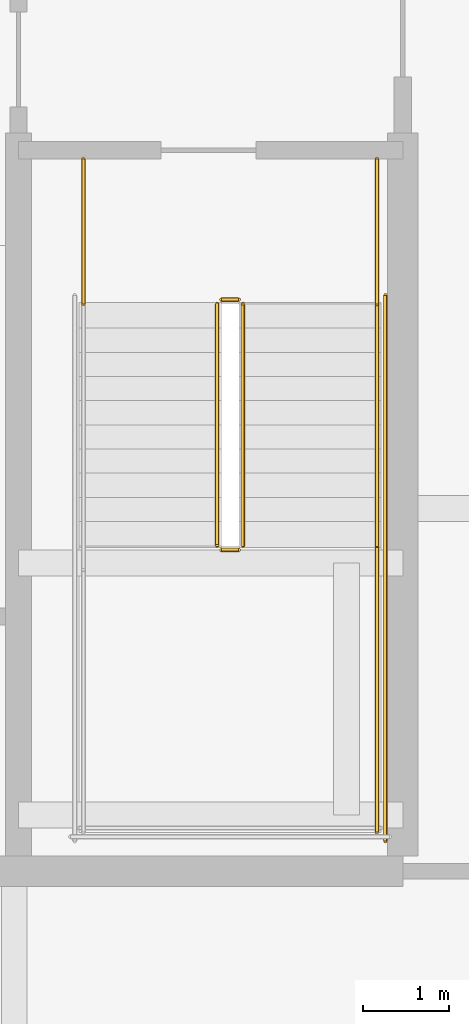
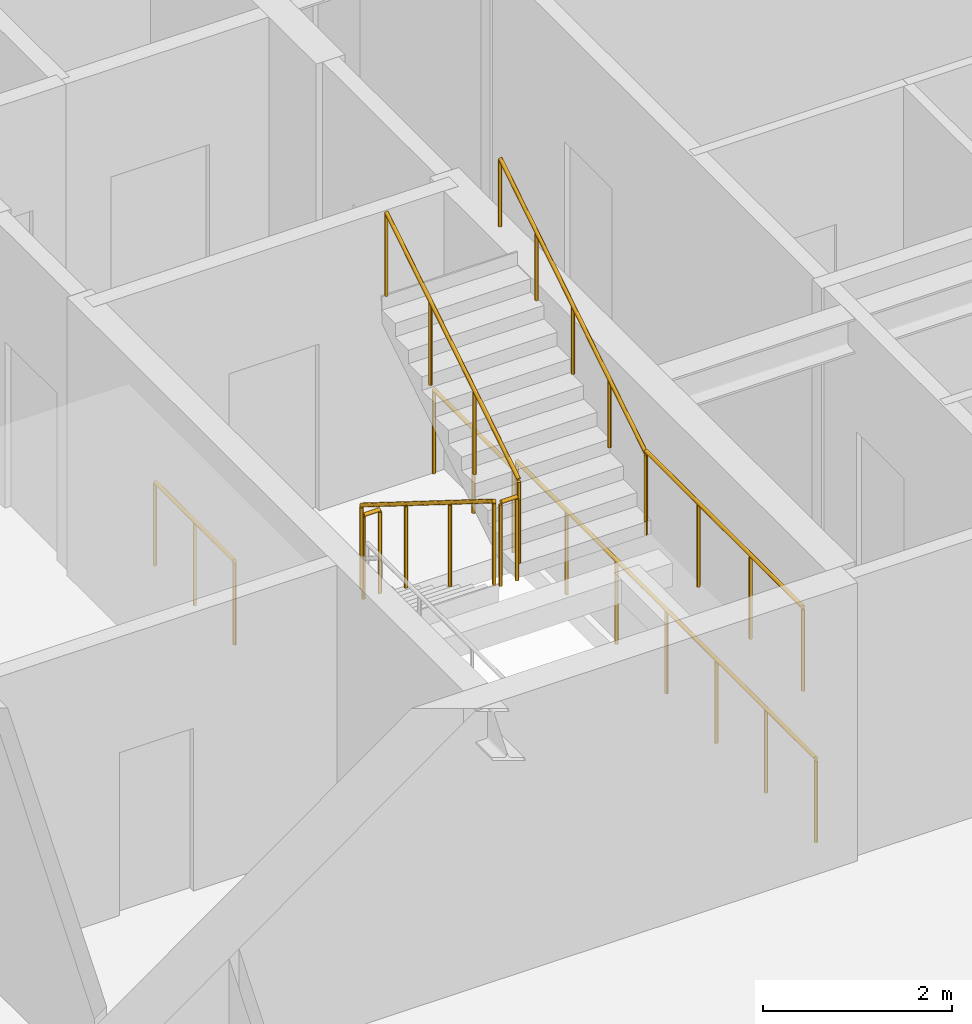
# One storey, part 35 of 36: 9 railings.
"""IFC4 building model written with IfcOpenShell, lengths in metres."""

from ifc_helpers import new_model, si_unit, direction, frame, origin, origin_2d, place, context, subcontext, project, spatial, circle, extrude, material, type_object, element, save


model = new_model("IFC4")

# Units and contexts
model_context = context("Model", 3, precision=1e-05, world=origin(), true_north=direction((0.0, 1.0)))
body_context = subcontext(model_context, "Body", "Model", "MODEL_VIEW")
ifc_project = project(units=[si_unit("LENGTHUNIT", "METRE"), si_unit("AREAUNIT", "SQUARE_METRE"), si_unit("VOLUMEUNIT", "CUBIC_METRE"), si_unit("PLANEANGLEUNIT", "RADIAN"), si_unit("MASSUNIT", "GRAM", prefix="KILO")], contexts=[model_context])

# Site, building, storey
site_placement = place(None, origin())
site = spatial("IfcSite", under=ifc_project, at=site_placement, CompositionType="ELEMENT")
building_placement = place(site_placement, origin())
building = spatial("IfcBuilding", under=site, at=building_placement, Name="Serunith Strait Residences", CompositionType="ELEMENT")
storey_placement = place(building_placement, frame((0.0, 0.0, 256.64990234375)))
storey = spatial("IfcBuildingStorey", under=building, at=storey_placement, Name="L64", CompositionType="ELEMENT", Elevation=256.64990234375)

# Railings
ifc_material = material(Name="Brushed stainless steel 316L", Category="steel")
railing_type_1 = type_object("IfcRailingType", Name="RLG-STAIR-GUARD", PredefinedType="BALUSTRADE", material=ifc_material)
railing_1_placement = place(storey_placement, frame((39.25, 23.3701171875, 0.175048828125)))
element("IfcRailing", 1, at=railing_1_placement, inside=storey, type_object=railing_type_1, Name="L64 ST-2 stair guard 1", PredefinedType="BALUSTRADE", context=body_context, shape_type="SweptSolid", body=[
    extrude(circle(Radius=0.02392578125, at=origin_2d()), frame((0.0, -0.001708984375, 1.0771484375), z_axis=(0.0, -0.848002457836, 0.529992293815), x_axis=(1.0, 0.0, 0.0)), (0.0, 0.0, 1.0), 3.2978515625),
    extrude(circle(Radius=0.02099609375, at=origin_2d()), origin(), (0.0, 0.0, 1.0), 1.050048828125),
    extrude(circle(Radius=0.02099609375, at=origin_2d()), frame((0.0, -0.933349609375, 0.583251953125)), (0.0, 0.0, 1.0), 1.050048828125),
    extrude(circle(Radius=0.02099609375, at=origin_2d()), frame((0.0, -1.86669921875, 1.166748046875)), (0.0, 0.0, 1.0), 1.050048828125),
    extrude(circle(Radius=0.02099609375, at=origin_2d()), frame((0.0, -2.800048828125, 1.75)), (0.0, 0.0, 1.0), 1.050048828125),
])
railing_2_placement = place(storey_placement, frame((39.300048828125, 20.52001953125, 1.925048828125)))
element("IfcRailing", 2, at=railing_2_placement, inside=storey, type_object=railing_type_1, Name="L64 ST-2 stair guard 2", PredefinedType="BALUSTRADE", context=body_context, shape_type="SweptSolid", body=[
    extrude(circle(Radius=0.02392578125, at=origin_2d()), frame((0.001953125, 0.0, 1.076171875), z_axis=(1.0, 0.0, 0.0), x_axis=(0.0, 1.0, 0.0)), (0.0, 0.0, 1.0), 0.196044921875),
    extrude(circle(Radius=0.02099609375, at=origin_2d()), origin(), (0.0, 0.0, 1.0), 1.050048828125),
    extrude(circle(Radius=0.02099609375, at=origin_2d()), frame((0.199951171875, 0.0, 0.0)), (0.0, 0.0, 1.0), 1.050048828125),
])
railing_3_placement = place(storey_placement, frame((41.10009765625, 20.570068359375, 1.925048828125)))
element("IfcRailing", 3, at=railing_3_placement, inside=storey, type_object=railing_type_1, Name="L64 ST-2 stair guard 4", PredefinedType="BALUSTRADE", context=body_context, shape_type="SweptSolid", body=[
    extrude(circle(Radius=0.02392578125, at=origin_2d()), frame((0.0, -0.001953125, 1.076171875), z_axis=(0.0, -1.0, 0.0), x_axis=(1.0, 0.0, 0.0)), (0.0, 0.0, 1.0), 3.316162109375),
    extrude(circle(Radius=0.02099609375, at=origin_2d()), origin(), (0.0, 0.0, 1.0), 1.050048828125),
    extrude(circle(Radius=0.02099609375, at=origin_2d()), frame((0.0, -1.106689453125, 0.0)), (0.0, 0.0, 1.0), 1.050048828125),
    extrude(circle(Radius=0.02099609375, at=origin_2d()), frame((0.0, -2.21337890625, 0.0)), (0.0, 0.0, 1.0), 1.050048828125),
    extrude(circle(Radius=0.02099609375, at=origin_2d()), frame((0.0, -3.320068359375, 0.0)), (0.0, 0.0, 1.0), 1.050048828125),
])
railing_4_placement = place(storey_placement, frame((39.550048828125, 20.570068359375, 2.10009765625)))
element("IfcRailing", 4, at=railing_4_placement, inside=storey, type_object=railing_type_1, Name="L64 ST-2 stair guard 6", PredefinedType="BALUSTRADE", context=body_context, shape_type="SweptSolid", body=[
    extrude(circle(Radius=0.02392578125, at=origin_2d()), frame((0.0, 0.001708984375, 1.0771484375), z_axis=(0.0, 0.848002457836, 0.529992293815), x_axis=(-1.0, 0.0, 0.0)), (0.0, 0.0, 1.0), 3.2978515625),
    extrude(circle(Radius=0.02099609375, at=origin_2d()), origin(), (0.0, 0.0, 1.0), 1.050048828125),
    extrude(circle(Radius=0.02099609375, at=origin_2d()), frame((0.0, 0.933349609375, 0.583251953125)), (0.0, 0.0, 1.0), 1.050048828125),
    extrude(circle(Radius=0.02099609375, at=origin_2d()), frame((0.0, 1.86669921875, 1.166748046875)), (0.0, 0.0, 1.0), 1.050048828125),
    extrude(circle(Radius=0.02099609375, at=origin_2d()), frame((0.0, 2.800048828125, 1.75)), (0.0, 0.0, 1.0), 1.050048828125),
])
railing_5_placement = place(storey_placement, frame((39.300048828125, 23.419921875, 0.0)))
element("IfcRailing", 5, at=railing_5_placement, inside=storey, type_object=railing_type_1, Name="L64 ST-2 stair guard 7", PredefinedType="BALUSTRADE", context=body_context, shape_type="SweptSolid", body=[
    extrude(circle(Radius=0.02392578125, at=origin_2d()), frame((0.001953125, 0.0, 1.076171875), z_axis=(1.0, 0.0, 0.0), x_axis=(0.0, 1.0, 0.0)), (0.0, 0.0, 1.0), 0.196044921875),
    extrude(circle(Radius=0.02099609375, at=origin_2d()), origin(), (0.0, 0.0, 1.0), 1.050048828125),
    extrude(circle(Radius=0.02099609375, at=origin_2d()), frame((0.199951171875, 0.0, 0.0)), (0.0, 0.0, 1.0), 1.050048828125),
])
for number, where, name in (
    (6, (37.699951171875, 25.050048828125, 0.0), "L64 ST-2 stair guard 8"),
    (7, (41.10009765625, 25.050048828125, 0.0), "L64 ST-2 stair guard 9"),
):
    element("IfcRailing", number, at=place(storey_placement, frame(where)), inside=storey, type_object=railing_type_1, Name=name, PredefinedType="BALUSTRADE", context=body_context, shape_type="SweptSolid", body=[
        extrude(circle(Radius=0.02392578125, at=origin_2d()), frame((0.0, -0.001953125, 1.076171875), z_axis=(0.0, -1.0, 0.0), x_axis=(1.0, 0.0, 0.0)), (0.0, 0.0, 1.0), 1.676025390625),
        extrude(circle(Radius=0.02099609375, at=origin_2d()), origin(), (0.0, 0.0, 1.0), 1.050048828125),
        extrude(circle(Radius=0.02099609375, at=origin_2d()), frame((0.0, -0.83984375, 0.0)), (0.0, 0.0, 1.0), 1.050048828125),
        extrude(circle(Radius=0.02099609375, at=origin_2d()), frame((0.0, -1.679931640625, 0.0)), (0.0, 0.0, 1.0), 1.050048828125),
    ])
railing_6_placement = place(storey_placement, frame((41.199951171875, 23.469970703125, 0.0)))
element("IfcRailing", 8, at=railing_6_placement, inside=storey, type_object=railing_type_1, Name="L64 ST-2 stair guard 11", PredefinedType="BALUSTRADE", context=body_context, shape_type="SweptSolid", body=[
    extrude(circle(Radius=0.02392578125, at=origin_2d()), frame((0.0, -0.001953125, 1.076171875), z_axis=(0.0, -1.0, 0.0), x_axis=(1.0, 0.0, 0.0)), (0.0, 0.0, 1.0), 6.316162109375),
    extrude(circle(Radius=0.02099609375, at=origin_2d()), origin(), (0.0, 0.0, 1.0), 1.050048828125),
    extrude(circle(Radius=0.02099609375, at=origin_2d()), frame((0.0, -1.05322265625, 0.0)), (0.0, 0.0, 1.0), 1.050048828125),
    extrude(circle(Radius=0.02099609375, at=origin_2d()), frame((0.0, -2.106689453125, 0.0)), (0.0, 0.0, 1.0), 1.050048828125),
    extrude(circle(Radius=0.02099609375, at=origin_2d()), frame((0.0, -3.16015625, 0.0)), (0.0, 0.0, 1.0), 1.050048828125),
    extrude(circle(Radius=0.02099609375, at=origin_2d()), frame((0.0, -4.21337890625, 0.0)), (0.0, 0.0, 1.0), 1.050048828125),
    extrude(circle(Radius=0.02099609375, at=origin_2d()), frame((0.0, -5.2666015625, 0.0)), (0.0, 0.0, 1.0), 1.050048828125),
    extrude(circle(Radius=0.02099609375, at=origin_2d()), frame((0.0, -6.320068359375, 0.0)), (0.0, 0.0, 1.0), 1.050048828125),
])
railing_type_2 = type_object("IfcRailingType", Name="RLG-STAIR-HR", PredefinedType="HANDRAIL", material=ifc_material)
railing_7_placement = place(storey_placement, frame((41.10009765625, 20.570068359375, 2.10009765625)))
element("IfcRailing", 9, at=railing_7_placement, inside=storey, type_object=railing_type_2, Name="L64 ST-2 stair handrail 2", PredefinedType="HANDRAIL", context=body_context, shape_type="SweptSolid", body=[
    extrude(circle(Radius=0.02392578125, at=origin_2d()), frame((0.0, 0.001708984375, 0.876953125), z_axis=(0.0, 0.847375056783, 0.530994833442), x_axis=(-1.0, 0.0, 0.0)), (0.0, 0.0, 1.0), 3.630615234375),
    extrude(circle(Radius=0.02099609375, at=origin_2d()), origin(), (0.0, 0.0, 1.0), 0.849853515625),
    extrude(circle(Radius=0.02099609375, at=origin_2d()), frame((0.0, 0.77001953125, 0.482421875)), (0.0, 0.0, 1.0), 0.849853515625),
    extrude(circle(Radius=0.02099609375, at=origin_2d()), frame((0.0, 1.5400390625, 0.96484375)), (0.0, 0.0, 1.0), 0.849853515625),
    extrude(circle(Radius=0.02099609375, at=origin_2d()), frame((0.0, 2.309814453125, 1.447509765625)), (0.0, 0.0, 1.0), 0.849853515625),
    extrude(circle(Radius=0.02099609375, at=origin_2d()), frame((0.0, 3.079833984375, 1.929931640625)), (0.0, 0.0, 1.0), 0.849853515625),
])

save(model, "model.ifc")
